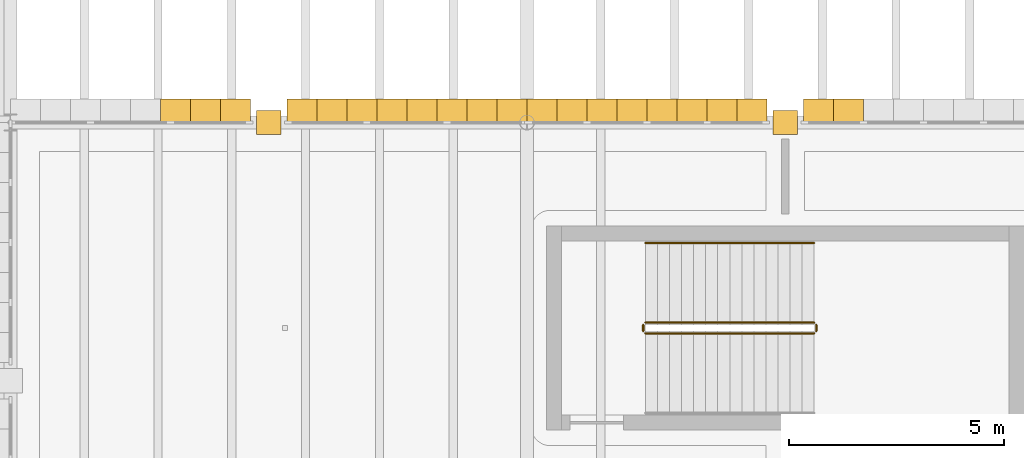
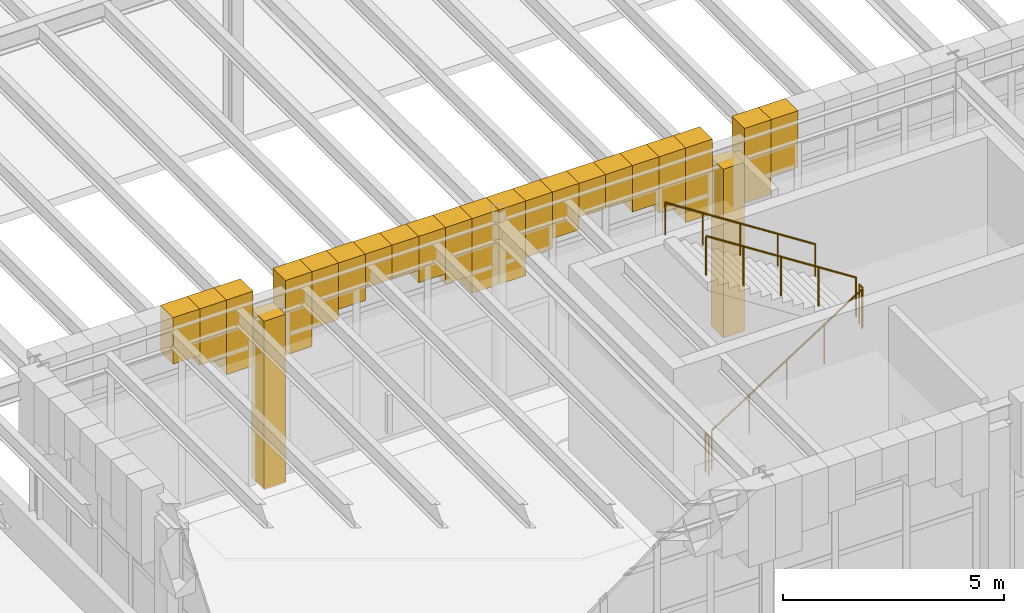
# One storey, part 84 of 100: 23 coverings, 5 railings.
"""IFC4 building model written with IfcOpenShell, lengths in metres."""

from ifc_helpers import new_model, si_unit, direction, frame, origin, origin_2d, place, context, subcontext, project, spatial, polyline, circle, outline, extrude, material, layer, layer_set, type_object, element, save


model = new_model("IFC4")

# Units and contexts
model_context = context("Model", 3, precision=1e-05, world=origin(), true_north=direction((0.0, 1.0)))
body_context = subcontext(model_context, "Body", "Model", "MODEL_VIEW")
ifc_project = project(units=[si_unit("LENGTHUNIT", "METRE"), si_unit("AREAUNIT", "SQUARE_METRE"), si_unit("VOLUMEUNIT", "CUBIC_METRE"), si_unit("PLANEANGLEUNIT", "RADIAN"), si_unit("MASSUNIT", "GRAM", prefix="KILO")], contexts=[model_context])

# Site, building, storey
site_placement = place(None, origin())
site = spatial("IfcSite", under=ifc_project, at=site_placement, CompositionType="ELEMENT")
building_placement = place(site_placement, origin())
building = spatial("IfcBuilding", under=site, at=building_placement, Name="Zlatogorsky Bluff Art Gallery", CompositionType="ELEMENT")
storey_placement = place(building_placement, frame((0.0, 0.0, 5.39990234375)))
storey = spatial("IfcBuildingStorey", under=building, at=storey_placement, Name="L01", CompositionType="ELEMENT", Elevation=5.39990234375)

# Coverings
ifc_material_1 = material(Name="Honed Red Agra-Tone Quartzitic Sandstone", Category="masonry")
ifc_layer = layer(ifc_material_1, 0.1201171875)
ifc_layer_set = layer_set([ifc_layer], Name="Carved Sandstone Cladding CLD-02")
covering_type = type_object("IfcCoveringType", Name="Carved Sandstone Cladding CLD-02", PredefinedType="CLADDING", material=ifc_layer_set)
covering_1_placement = place(storey_placement, frame((0.0, 0.0, -0.02978515625)))
element("IfcCovering", 1, at=covering_1_placement, inside=storey, type_object=covering_type, Name="Mughal dalan central sandstone pier L01 N 5.8", PredefinedType="CLADDING", context=body_context, shape_type="SweptSolid", body=[
    extrude(outline(polyline([(65.719970703125, 95.719970703125), (66.280029296875, 95.719970703125), (66.280029296875, 96.280029296875), (65.719970703125, 96.280029296875), (65.719970703125, 95.719970703125)])), origin(), (0.0, 0.0, 1.0), 4.659912109375),
])
covering_2_placement = place(storey_placement, frame((0.0, 0.0, 3.2978515625)))
element("IfcCovering", 2, at=covering_2_placement, inside=storey, type_object=covering_type, Name="Pointed Mughal arch voussoir spandrel ARCH-CW-L01-N-05-08-A.1", PredefinedType="CLADDING", context=body_context, shape_type="SweptSolid", body=[
    extrude(outline(polyline([(66.419921875, 95.969970703125), (67.117431640625, 95.969970703125), (67.117431640625, 96.5400390625), (66.419921875, 96.5400390625), (66.419921875, 95.969970703125)])), origin(), (0.0, 0.0, 1.0), 2.062255859375),
])
covering_3_placement = place(storey_placement, frame((0.0, 0.0, 3.7998046875)))
element("IfcCovering", 3, at=covering_3_placement, inside=storey, type_object=covering_type, Name="Pointed Mughal arch voussoir spandrel ARCH-CW-L01-N-05-08-A.2", PredefinedType="CLADDING", context=body_context, shape_type="SweptSolid", body=[
    extrude(outline(polyline([(67.117431640625, 95.969970703125), (67.81494140625, 95.969970703125), (67.81494140625, 96.5400390625), (67.117431640625, 96.5400390625), (67.117431640625, 95.969970703125)])), origin(), (0.0, 0.0, 1.0), 1.560302734375),
])
covering_4_placement = place(storey_placement, frame((0.0, 0.0, 4.076416015625)))
element("IfcCovering", 4, at=covering_4_placement, inside=storey, type_object=covering_type, Name="Pointed Mughal arch voussoir spandrel ARCH-CW-L01-N-05-08-A.3", PredefinedType="CLADDING", context=body_context, shape_type="SweptSolid", body=[
    extrude(outline(polyline([(67.81494140625, 95.969970703125), (68.512451171875, 95.969970703125), (68.512451171875, 96.5400390625), (67.81494140625, 96.5400390625), (67.81494140625, 95.969970703125)])), origin(), (0.0, 0.0, 1.0), 1.28369140625),
])
covering_5_placement = place(storey_placement, frame((0.0, 0.0, 4.424560546875)))
element("IfcCovering", 5, at=covering_5_placement, inside=storey, type_object=covering_type, Name="Pointed Mughal arch voussoir spandrel ARCH-CW-L01-N-05-08-A.4", PredefinedType="CLADDING", context=body_context, shape_type="SweptSolid", body=[
    extrude(outline(polyline([(68.512451171875, 95.969970703125), (69.2099609375, 95.969970703125), (69.2099609375, 96.5400390625), (68.512451171875, 96.5400390625), (68.512451171875, 95.969970703125)])), origin(), (0.0, 0.0, 1.0), 0.935546875),
])
covering_6_placement = place(storey_placement, frame((0.0, 0.0, 4.424560546875)))
element("IfcCovering", 6, at=covering_6_placement, inside=storey, type_object=covering_type, Name="Pointed Mughal arch voussoir spandrel ARCH-CW-L01-N-05-08-A.5", PredefinedType="CLADDING", context=body_context, shape_type="SweptSolid", body=[
    extrude(outline(polyline([(69.2099609375, 95.969970703125), (69.907470703125, 95.969970703125), (69.907470703125, 96.5400390625), (69.2099609375, 96.5400390625), (69.2099609375, 95.969970703125)])), origin(), (0.0, 0.0, 1.0), 0.935546875),
])
covering_7_placement = place(storey_placement, frame((0.0, 0.0, 4.076416015625)))
element("IfcCovering", 7, at=covering_7_placement, inside=storey, type_object=covering_type, Name="Pointed Mughal arch voussoir spandrel ARCH-CW-L01-N-05-08-A.6", PredefinedType="CLADDING", context=body_context, shape_type="SweptSolid", body=[
    extrude(outline(polyline([(69.907470703125, 95.969970703125), (70.60498046875, 95.969970703125), (70.60498046875, 96.5400390625), (69.907470703125, 96.5400390625), (69.907470703125, 95.969970703125)])), origin(), (0.0, 0.0, 1.0), 1.28369140625),
])
covering_8_placement = place(storey_placement, frame((0.0, 0.0, 3.7998046875)))
element("IfcCovering", 8, at=covering_8_placement, inside=storey, type_object=covering_type, Name="Pointed Mughal arch voussoir spandrel ARCH-CW-L01-N-05-08-A.7", PredefinedType="CLADDING", context=body_context, shape_type="SweptSolid", body=[
    extrude(outline(polyline([(70.60498046875, 95.969970703125), (71.302490234375, 95.969970703125), (71.302490234375, 96.5400390625), (70.60498046875, 96.5400390625), (70.60498046875, 95.969970703125)])), origin(), (0.0, 0.0, 1.0), 1.560302734375),
])
covering_9_placement = place(storey_placement, frame((0.0, 0.0, 3.2978515625)))
element("IfcCovering", 9, at=covering_9_placement, inside=storey, type_object=covering_type, Name="Pointed Mughal arch voussoir spandrel ARCH-CW-L01-N-05-08-A.8", PredefinedType="CLADDING", context=body_context, shape_type="SweptSolid", body=[
    extrude(outline(polyline([(71.302490234375, 95.969970703125), (72.0, 95.969970703125), (72.0, 96.5400390625), (71.302490234375, 96.5400390625), (71.302490234375, 95.969970703125)])), origin(), (0.0, 0.0, 1.0), 2.062255859375),
])
covering_10_placement = place(storey_placement, frame((0.0, 0.0, 4.076416015625)))
element("IfcCovering", 10, at=covering_10_placement, inside=storey, type_object=covering_type, Name="Pointed Mughal arch voussoir spandrel ARCH-CW-L01-N-05-08-B.6", PredefinedType="CLADDING", context=body_context, shape_type="SweptSolid", body=[
    extrude(outline(polyline([(63.487548828125, 95.969970703125), (64.18505859375, 95.969970703125), (64.18505859375, 96.5400390625), (63.487548828125, 96.5400390625), (63.487548828125, 95.969970703125)])), origin(), (0.0, 0.0, 1.0), 1.28369140625),
])
covering_11_placement = place(storey_placement, frame((0.0, 0.0, 3.7998046875)))
element("IfcCovering", 11, at=covering_11_placement, inside=storey, type_object=covering_type, Name="Pointed Mughal arch voussoir spandrel ARCH-CW-L01-N-05-08-B.7", PredefinedType="CLADDING", context=body_context, shape_type="SweptSolid", body=[
    extrude(outline(polyline([(64.18505859375, 95.969970703125), (64.882568359375, 95.969970703125), (64.882568359375, 96.5400390625), (64.18505859375, 96.5400390625), (64.18505859375, 95.969970703125)])), origin(), (0.0, 0.0, 1.0), 1.560302734375),
])
covering_12_placement = place(storey_placement, frame((0.0, 0.0, 3.2978515625)))
element("IfcCovering", 12, at=covering_12_placement, inside=storey, type_object=covering_type, Name="Pointed Mughal arch voussoir spandrel ARCH-CW-L01-N-05-08-B.8", PredefinedType="CLADDING", context=body_context, shape_type="SweptSolid", body=[
    extrude(outline(polyline([(64.882568359375, 95.969970703125), (65.580078125, 95.969970703125), (65.580078125, 96.5400390625), (64.882568359375, 96.5400390625), (64.882568359375, 95.969970703125)])), origin(), (0.0, 0.0, 1.0), 2.062255859375),
])
covering_13_placement = place(storey_placement, frame((0.0, 0.0, -0.02978515625)))
element("IfcCovering", 13, at=covering_13_placement, inside=storey, type_object=covering_type, Name="Mughal dalan central sandstone pier L01 N 6.8", PredefinedType="CLADDING", context=body_context, shape_type="SweptSolid", body=[
    extrude(outline(polyline([(77.719970703125, 95.719970703125), (78.280029296875, 95.719970703125), (78.280029296875, 96.280029296875), (77.719970703125, 96.280029296875), (77.719970703125, 95.719970703125)])), origin(), (0.0, 0.0, 1.0), 4.659912109375),
])
covering_14_placement = place(storey_placement, frame((0.0, 0.0, 3.2978515625)))
element("IfcCovering", 14, at=covering_14_placement, inside=storey, type_object=covering_type, Name="Pointed Mughal arch voussoir spandrel ARCH-CW-L01-N-06-08-A.1", PredefinedType="CLADDING", context=body_context, shape_type="SweptSolid", body=[
    extrude(outline(polyline([(78.419921875, 95.969970703125), (79.117431640625, 95.969970703125), (79.117431640625, 96.5400390625), (78.419921875, 96.5400390625), (78.419921875, 95.969970703125)])), origin(), (0.0, 0.0, 1.0), 2.062255859375),
])
covering_15_placement = place(storey_placement, frame((0.0, 0.0, 3.7998046875)))
element("IfcCovering", 15, at=covering_15_placement, inside=storey, type_object=covering_type, Name="Pointed Mughal arch voussoir spandrel ARCH-CW-L01-N-06-08-A.2", PredefinedType="CLADDING", context=body_context, shape_type="SweptSolid", body=[
    extrude(outline(polyline([(79.117431640625, 95.969970703125), (79.81494140625, 95.969970703125), (79.81494140625, 96.5400390625), (79.117431640625, 96.5400390625), (79.117431640625, 95.969970703125)])), origin(), (0.0, 0.0, 1.0), 1.560302734375),
])
covering_16_placement = place(storey_placement, frame((0.0, 0.0, 3.2978515625)))
element("IfcCovering", 16, at=covering_16_placement, inside=storey, type_object=covering_type, Name="Pointed Mughal arch voussoir spandrel ARCH-CW-L01-N-06-08-B.1", PredefinedType="CLADDING", context=body_context, shape_type="SweptSolid", body=[
    extrude(outline(polyline([(72.0, 95.969970703125), (72.697509765625, 95.969970703125), (72.697509765625, 96.5400390625), (72.0, 96.5400390625), (72.0, 95.969970703125)])), origin(), (0.0, 0.0, 1.0), 2.062255859375),
])
covering_17_placement = place(storey_placement, frame((0.0, 0.0, 3.7998046875)))
element("IfcCovering", 17, at=covering_17_placement, inside=storey, type_object=covering_type, Name="Pointed Mughal arch voussoir spandrel ARCH-CW-L01-N-06-08-B.2", PredefinedType="CLADDING", context=body_context, shape_type="SweptSolid", body=[
    extrude(outline(polyline([(72.697509765625, 95.969970703125), (73.39501953125, 95.969970703125), (73.39501953125, 96.5400390625), (72.697509765625, 96.5400390625), (72.697509765625, 95.969970703125)])), origin(), (0.0, 0.0, 1.0), 1.560302734375),
])
covering_18_placement = place(storey_placement, frame((0.0, 0.0, 4.076416015625)))
element("IfcCovering", 18, at=covering_18_placement, inside=storey, type_object=covering_type, Name="Pointed Mughal arch voussoir spandrel ARCH-CW-L01-N-06-08-B.3", PredefinedType="CLADDING", context=body_context, shape_type="SweptSolid", body=[
    extrude(outline(polyline([(73.39501953125, 95.969970703125), (74.092529296875, 95.969970703125), (74.092529296875, 96.5400390625), (73.39501953125, 96.5400390625), (73.39501953125, 95.969970703125)])), origin(), (0.0, 0.0, 1.0), 1.28369140625),
])
covering_19_placement = place(storey_placement, frame((0.0, 0.0, 4.424560546875)))
element("IfcCovering", 19, at=covering_19_placement, inside=storey, type_object=covering_type, Name="Pointed Mughal arch voussoir spandrel ARCH-CW-L01-N-06-08-B.4", PredefinedType="CLADDING", context=body_context, shape_type="SweptSolid", body=[
    extrude(outline(polyline([(74.092529296875, 95.969970703125), (74.7900390625, 95.969970703125), (74.7900390625, 96.5400390625), (74.092529296875, 96.5400390625), (74.092529296875, 95.969970703125)])), origin(), (0.0, 0.0, 1.0), 0.935546875),
])
covering_20_placement = place(storey_placement, frame((0.0, 0.0, 4.424560546875)))
element("IfcCovering", 20, at=covering_20_placement, inside=storey, type_object=covering_type, Name="Pointed Mughal arch voussoir spandrel ARCH-CW-L01-N-06-08-B.5", PredefinedType="CLADDING", context=body_context, shape_type="SweptSolid", body=[
    extrude(outline(polyline([(74.7900390625, 95.969970703125), (75.487548828125, 95.969970703125), (75.487548828125, 96.5400390625), (74.7900390625, 96.5400390625), (74.7900390625, 95.969970703125)])), origin(), (0.0, 0.0, 1.0), 0.935546875),
])
covering_21_placement = place(storey_placement, frame((0.0, 0.0, 4.076416015625)))
element("IfcCovering", 21, at=covering_21_placement, inside=storey, type_object=covering_type, Name="Pointed Mughal arch voussoir spandrel ARCH-CW-L01-N-06-08-B.6", PredefinedType="CLADDING", context=body_context, shape_type="SweptSolid", body=[
    extrude(outline(polyline([(75.487548828125, 95.969970703125), (76.18505859375, 95.969970703125), (76.18505859375, 96.5400390625), (75.487548828125, 96.5400390625), (75.487548828125, 95.969970703125)])), origin(), (0.0, 0.0, 1.0), 1.28369140625),
])
covering_22_placement = place(storey_placement, frame((0.0, 0.0, 3.7998046875)))
element("IfcCovering", 22, at=covering_22_placement, inside=storey, type_object=covering_type, Name="Pointed Mughal arch voussoir spandrel ARCH-CW-L01-N-06-08-B.7", PredefinedType="CLADDING", context=body_context, shape_type="SweptSolid", body=[
    extrude(outline(polyline([(76.18505859375, 95.969970703125), (76.882568359375, 95.969970703125), (76.882568359375, 96.5400390625), (76.18505859375, 96.5400390625), (76.18505859375, 95.969970703125)])), origin(), (0.0, 0.0, 1.0), 1.560302734375),
])
covering_23_placement = place(storey_placement, frame((0.0, 0.0, 3.2978515625)))
element("IfcCovering", 23, at=covering_23_placement, inside=storey, type_object=covering_type, Name="Pointed Mughal arch voussoir spandrel ARCH-CW-L01-N-06-08-B.8", PredefinedType="CLADDING", context=body_context, shape_type="SweptSolid", body=[
    extrude(outline(polyline([(76.882568359375, 95.969970703125), (77.580078125, 95.969970703125), (77.580078125, 96.5400390625), (76.882568359375, 96.5400390625), (76.882568359375, 95.969970703125)])), origin(), (0.0, 0.0, 1.0), 2.062255859375),
])

# Railings
ifc_material_2 = material(Name="Architectural Bronze and Laminated Glass", Category="glass")
railing_type_1 = type_object("IfcRailingType", Name="Gallery Guard Rail 1100mm", PredefinedType="GUARDRAIL", material=ifc_material_2)
railing_1_placement = place(storey_placement, frame((74.75, 91.10009765625, 0.18017578125)))
element("IfcRailing", 24, at=railing_1_placement, inside=storey, type_object=railing_type_1, Name="L01 ST-08 stair guard 1", PredefinedType="GUARDRAIL", context=body_context, shape_type="SweptSolid", body=[
    extrude(circle(Radius=0.02392578125, at=origin_2d()), frame((0.0, 0.0, 1.076171875), z_axis=(0.841171666519, 0.0, 0.540768182723), x_axis=(0.0, 1.0, 0.0)), (0.0, 0.0, 1.0), 4.66015625),
    extrude(circle(Radius=0.02099609375, at=origin_2d()), origin(), (0.0, 0.0, 1.0), 1.052001953125),
    extrude(circle(Radius=0.02099609375, at=origin_2d()), frame((0.97998046875, 0.0, 0.6298828125)), (0.0, 0.0, 1.0), 1.052001953125),
    extrude(circle(Radius=0.02099609375, at=origin_2d()), frame((1.9599609375, 0.0, 1.260009765625)), (0.0, 0.0, 1.0), 1.052001953125),
    extrude(circle(Radius=0.02099609375, at=origin_2d()), frame((2.93994140625, 0.0, 1.89013671875)), (0.0, 0.0, 1.0), 1.052001953125),
    extrude(circle(Radius=0.02099609375, at=origin_2d()), frame((3.919921875, 0.0, 2.52001953125)), (0.0, 0.0, 1.0), 1.052001953125),
])
railing_2_placement = place(storey_placement, frame((78.719970703125, 91.14990234375, 2.7001953125)))
element("IfcRailing", 25, at=railing_2_placement, inside=storey, type_object=railing_type_1, Name="L01 ST-08 stair guard 2", PredefinedType="GUARDRAIL", context=body_context, shape_type="SweptSolid", body=[
    extrude(circle(Radius=0.02392578125, at=origin_2d()), frame((0.0, 0.0, 1.076171875), z_axis=(0.0, 1.0, 0.0), x_axis=(-1.0, 0.0, 0.0)), (0.0, 0.0, 1.0), 0.150146484375),
    extrude(circle(Radius=0.02099609375, at=origin_2d()), origin(), (0.0, 0.0, 1.0), 1.052001953125),
    extrude(circle(Radius=0.02099609375, at=origin_2d()), frame((0.0, 0.150146484375, 0.0)), (0.0, 0.0, 1.0), 1.052001953125),
])
railing_3_placement = place(storey_placement, frame((78.669921875, 91.35009765625, 2.880126953125)))
element("IfcRailing", 26, at=railing_3_placement, inside=storey, type_object=railing_type_1, Name="L01 ST-08 stair guard 3", PredefinedType="GUARDRAIL", context=body_context, shape_type="SweptSolid", body=[
    extrude(circle(Radius=0.02392578125, at=origin_2d()), frame((0.0, 0.0, 1.076171875), z_axis=(-0.841171666519, 0.0, 0.540768182723), x_axis=(0.0, -1.0, 0.0)), (0.0, 0.0, 1.0), 4.66015625),
    extrude(circle(Radius=0.02099609375, at=origin_2d()), origin(), (0.0, 0.0, 1.0), 1.052001953125),
    extrude(circle(Radius=0.02099609375, at=origin_2d()), frame((-0.97998046875, 0.0, 0.6298828125)), (0.0, 0.0, 1.0), 1.052001953125),
    extrude(circle(Radius=0.02099609375, at=origin_2d()), frame((-1.9599609375, 0.0, 1.260009765625)), (0.0, 0.0, 1.0), 1.052001953125),
    extrude(circle(Radius=0.02099609375, at=origin_2d()), frame((-2.93994140625, 0.0, 1.89013671875)), (0.0, 0.0, 1.0), 1.052001953125),
    extrude(circle(Radius=0.02099609375, at=origin_2d()), frame((-3.919921875, 0.0, 2.52001953125)), (0.0, 0.0, 1.0), 1.052001953125),
])
railing_4_placement = place(storey_placement, frame((74.699951171875, 91.14990234375, 0.0)))
element("IfcRailing", 27, at=railing_4_placement, inside=storey, type_object=railing_type_1, Name="L01 ST-08 stair guard 4", PredefinedType="GUARDRAIL", context=body_context, shape_type="SweptSolid", body=[
    extrude(circle(Radius=0.02392578125, at=origin_2d()), frame((0.0, 0.0, 1.076171875), z_axis=(0.0, 1.0, 0.0), x_axis=(-1.0, 0.0, 0.0)), (0.0, 0.0, 1.0), 0.150146484375),
    extrude(circle(Radius=0.02099609375, at=origin_2d()), origin(), (0.0, 0.0, 1.0), 1.052001953125),
    extrude(circle(Radius=0.02099609375, at=origin_2d()), frame((0.0, 0.150146484375, 0.0)), (0.0, 0.0, 1.0), 1.052001953125),
])
ifc_material_3 = material(Name="Brushed Stainless Steel", Category="steel")
railing_type_2 = type_object("IfcRailingType", Name="Stair Pitch Handrail 900mm", PredefinedType="HANDRAIL", material=ifc_material_3)
railing_5_placement = place(storey_placement, frame((78.669921875, 93.199951171875, 2.880126953125)))
element("IfcRailing", 28, at=railing_5_placement, inside=storey, type_object=railing_type_2, Name="L01 ST-08 stair handrail 2", PredefinedType="HANDRAIL", context=body_context, shape_type="SweptSolid", body=[
    extrude(circle(Radius=0.02392578125, at=origin_2d()), frame((0.0, 0.0, 0.8759765625), z_axis=(-0.841171666519, 0.0, 0.540768182723), x_axis=(0.0, -1.0, 0.0)), (0.0, 0.0, 1.0), 4.66015625),
    extrude(circle(Radius=0.02099609375, at=origin_2d()), origin(), (0.0, 0.0, 1.0), 0.851806640625),
    extrude(circle(Radius=0.02099609375, at=origin_2d()), frame((-0.97998046875, 0.0, 0.6298828125)), (0.0, 0.0, 1.0), 0.851806640625),
    extrude(circle(Radius=0.02099609375, at=origin_2d()), frame((-1.9599609375, 0.0, 1.260009765625)), (0.0, 0.0, 1.0), 0.851806640625),
    extrude(circle(Radius=0.02099609375, at=origin_2d()), frame((-2.93994140625, 0.0, 1.89013671875)), (0.0, 0.0, 1.0), 0.851806640625),
    extrude(circle(Radius=0.02099609375, at=origin_2d()), frame((-3.919921875, 0.0, 2.52001953125)), (0.0, 0.0, 1.0), 0.851806640625),
])

save(model, "model.ifc")
